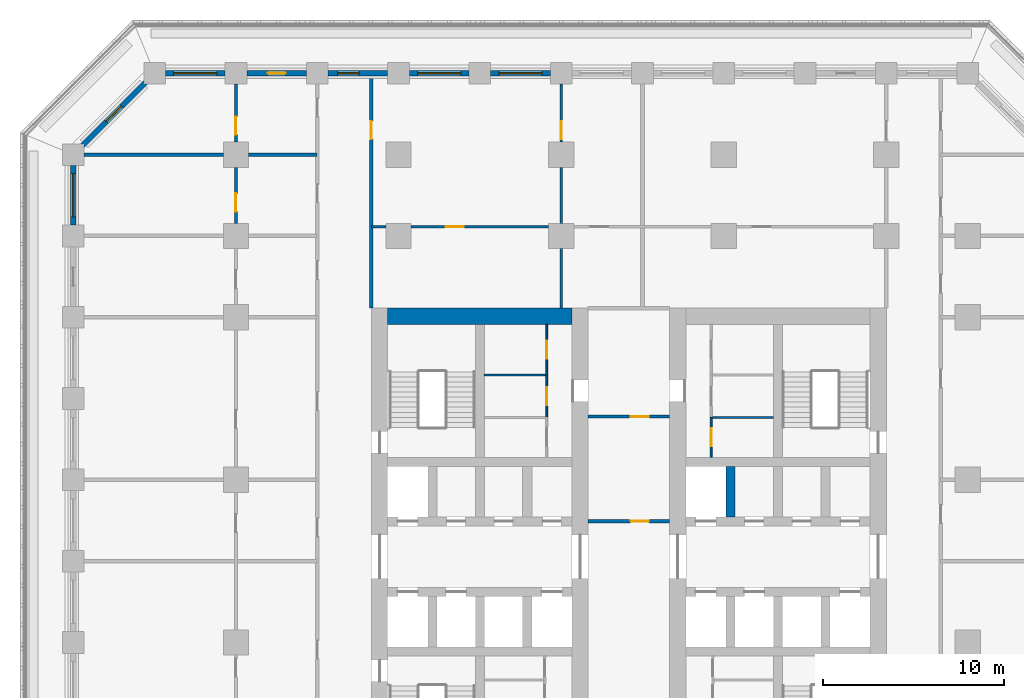
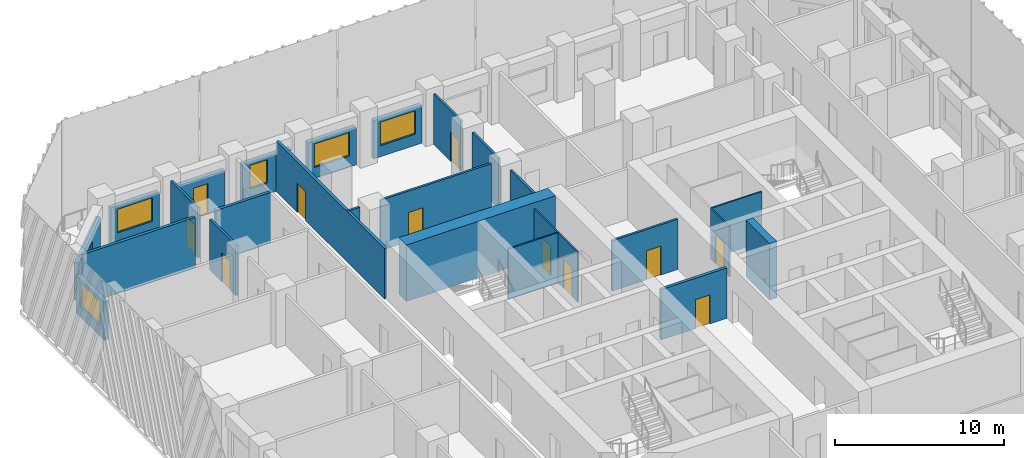
# One storey, part 7 of 19: 26 walls, 12 doors, 5 windows, 17 openings.
"""IFC4 building model written with IfcOpenShell, lengths in metres."""

from ifc_helpers import new_model, si_unit, direction, frame, frame_2d, origin, place, context, subcontext, project, spatial, rectangle, extrude, material, layer, layer_set, type_object, element, fill, save


model = new_model("IFC4")

# Units and contexts
model_context = context("Model", 3, precision=1e-05, world=origin(), true_north=direction((0.0, 1.0)))
body_context = subcontext(model_context, "Body", "Model", "MODEL_VIEW")
ifc_project = project(units=[si_unit("LENGTHUNIT", "METRE"), si_unit("AREAUNIT", "SQUARE_METRE"), si_unit("VOLUMEUNIT", "CUBIC_METRE"), si_unit("PLANEANGLEUNIT", "RADIAN"), si_unit("MASSUNIT", "GRAM", prefix="KILO")], contexts=[model_context])

# Site, building, storey
site_placement = place(None, origin())
site = spatial("IfcSite", under=ifc_project, at=site_placement, CompositionType="ELEMENT")
building_placement = place(site_placement, origin())
building = spatial("IfcBuilding", under=site, at=building_placement, Name="Corbel Stack Research Tower", CompositionType="ELEMENT")
storey_placement = place(building_placement, frame((0.0, 0.0, 124.89990234375)))
storey = spatial("IfcBuildingStorey", under=building, at=storey_placement, Name="L28", CompositionType="ELEMENT", Elevation=124.89990234375)

# Walls
ifc_material_1 = material(Name="Concrete C70/85", Category="concrete")
ifc_layer_1 = layer(ifc_material_1, 0.5)
ifc_layer_set_1 = layer_set([ifc_layer_1], Name="Concrete C70/85")
wall_type_1 = type_object("IfcWallType", Name="CW-500-70", PredefinedType="SHEAR", material=ifc_layer_set_1)
wall_1_placement = place(storey_placement, frame((9.375, 6.949951171875, 0.0), z_axis=(0.0, 0.0, 1.0), x_axis=(0.0, 1.0, 0.0)))
element("IfcWall", 1, at=wall_1_placement, inside=storey, type_object=wall_type_1, Name="East core wall, north shaft 1 L28", PredefinedType="SHEAR", context=body_context, shape_type="SweptSolid", body=[
    extrude(rectangle(XDim=2.800048828125, YDim=0.5, at=frame_2d((1.39990234375, 0.0))), origin(), (0.0, 0.0, 1.0), 4.10009765625),
])
ifc_material_2 = material(Name="Concrete C70/85", Category="concrete")
ifc_layer_2 = layer(ifc_material_2, 0.89990234375)
ifc_layer_set_2 = layer_set([ifc_layer_2], Name="Concrete C70/85")
wall_type_2 = type_object("IfcWallType", Name="CW-900-70", PredefinedType="SHEAR", material=ifc_layer_set_2)
wall_2_placement = place(storey_placement, frame((-9.60009765625, 18.050048828125, 0.0), z_axis=(0.0, 0.0, 1.0), x_axis=(1.0, 0.0, 0.0)))
element("IfcWall", 2, at=wall_2_placement, inside=storey, type_object=wall_type_2, Name="West core wall, north end L28", PredefinedType="SHEAR", context=body_context, shape_type="SweptSolid", body=[
    extrude(rectangle(XDim=10.2001953125, YDim=0.89990234375, at=frame_2d((5.10009765625, 0.0))), origin(), (0.0, 0.0, 1.0), 4.10009765625),
])

# Wall, opening, door
ifc_material_3 = material(Name="Gypsum board")
ifc_layer_3 = layer(ifc_material_3, 0.10009765625)
ifc_layer_set_3 = layer_set([ifc_layer_3], Name="Gypsum board")
wall_type_3 = type_object("IfcWallType", Name="Core partition 100", PredefinedType="PARTITIONING", material=ifc_layer_set_3)
wall_3_placement = place(storey_placement, frame((-0.800048828125, 12.455078125, 0.0), z_axis=(0.0, 0.0, 1.0), x_axis=(0.0, 1.0, 0.0)))
wall_3 = element("IfcWall", 3, at=wall_3_placement, inside=storey, type_object=wall_type_3, Name="Core partition W", PredefinedType="PARTITIONING", context=body_context, shape_type="SweptSolid", body=[
    extrude(rectangle(XDim=2.351806640625, YDim=0.10009765625, at=frame_2d((1.17578125, 0.0))), origin(), (0.0, 0.0, 1.0), 3.650146484375),
])
opening_1_placement = place(wall_3_placement, frame((0.676025390625, 0.0, 0.0)))
opening_1 = element("IfcOpeningElement", 4, at=opening_1_placement, cuts=wall_3, Name="Opening CR-W42-R3-1000", PredefinedType="OPENING", context=body_context, shape_type="SweptSolid", body=[
    extrude(rectangle(XDim=1.0, YDim=2.10009765625, at=frame_2d((0.5, 1.050048828125))), frame((0.0, 0.06005859375, 0.0), z_axis=(0.0, -1.0, 0.0), x_axis=(1.0, 0.0, 0.0)), (0.0, 0.0, 1.0), 0.1201171875),
])
ifc_material_4 = material(Name="Painted steel door", Category="steel")
door_type_1 = type_object("IfcDoorType", Name="Service door 1000 x 2100 FD30 left hand", OperationType="SINGLE_SWING_LEFT", PredefinedType="DOOR", material=ifc_material_4)
door_1_placement = place(opening_1_placement, origin())
door_1 = element("IfcDoor", 5, at=door_1_placement, inside=storey, type_object=door_type_1, Name="Pantry door W core", OperationType="SINGLE_SWING_LEFT", OverallHeight=2.10009765625, OverallWidth=1.0, PredefinedType="DOOR", context=body_context, shape_type="SweptSolid", body=[
    extrude(rectangle(XDim=1.0, YDim=2.10009765625, at=frame_2d((0.5, 1.050048828125))), frame((0.0, 0.02490234375, 0.0), z_axis=(0.0, -1.0, 0.0), x_axis=(1.0, 0.0, 0.0)), (0.0, 0.0, 1.0), 0.050048828125),
])
fill(opening_1, door_1)

wall_4_placement = place(storey_placement, frame((-0.800048828125, 14.806884765625, 0.0), z_axis=(0.0, 0.0, 1.0), x_axis=(0.0, 1.0, 0.0)))
wall_4 = element("IfcWall", 6, at=wall_4_placement, inside=storey, type_object=wall_type_3, Name="Core partition W", PredefinedType="PARTITIONING", context=body_context, shape_type="SweptSolid", body=[
    extrude(rectangle(XDim=2.793212890625, YDim=0.10009765625, at=frame_2d((1.396484375, 0.0))), origin(), (0.0, 0.0, 1.0), 3.650146484375),
])
opening_2_placement = place(wall_4_placement, frame((0.896484375, 0.0, 0.0)))
opening_2 = element("IfcOpeningElement", 7, at=opening_2_placement, cuts=wall_4, Name="Opening CR-W42-R4-1000", PredefinedType="OPENING", context=body_context, shape_type="SweptSolid", body=[
    extrude(rectangle(XDim=1.0, YDim=2.10009765625, at=frame_2d((0.5, 1.050048828125))), frame((0.0, 0.06005859375, 0.0), z_axis=(0.0, -1.0, 0.0), x_axis=(1.0, 0.0, 0.0)), (0.0, 0.0, 1.0), 0.1201171875),
])
ifc_material_5 = material(Name="Painted steel door", Category="steel")
door_type_2 = type_object("IfcDoorType", Name="Riser door 1000 x 2100 FD60 right hand", OperationType="SINGLE_SWING_RIGHT", PredefinedType="DOOR", material=ifc_material_5)
door_2_placement = place(opening_2_placement, origin())
door_2 = element("IfcDoor", 8, at=door_2_placement, inside=storey, type_object=door_type_2, Name="Electrical riser door W core", OperationType="SINGLE_SWING_RIGHT", OverallHeight=2.10009765625, OverallWidth=1.0, PredefinedType="DOOR", context=body_context, shape_type="SweptSolid", body=[
    extrude(rectangle(XDim=1.0, YDim=2.10009765625, at=frame_2d((0.5, 1.050048828125))), frame((0.0, 0.02490234375, 0.0), z_axis=(0.0, -1.0, 0.0), x_axis=(1.0, 0.0, 0.0)), (0.0, 0.0, 1.0), 0.050048828125),
])
fill(opening_2, door_2)

# Wall
wall_5_placement = place(storey_placement, frame((-4.25, 14.806884765625, 0.0), z_axis=(0.0, 0.0, 1.0), x_axis=(1.0, 0.0, 0.0)))
element("IfcWall", 9, at=wall_5_placement, inside=storey, type_object=wall_type_3, Name="Core partition W", PredefinedType="PARTITIONING", context=body_context, shape_type="SweptSolid", body=[
    extrude(rectangle(XDim=3.449951171875, YDim=0.10009765625, at=frame_2d((1.72509765625, 0.0))), origin(), (0.0, 0.0, 1.0), 3.650146484375),
])

# Wall, opening, door
wall_6_placement = place(storey_placement, frame((8.300048828125, 10.25, 0.0), z_axis=(0.0, 0.0, 1.0), x_axis=(0.0, 1.0, 0.0)))
wall_6 = element("IfcWall", 10, at=wall_6_placement, inside=storey, type_object=wall_type_3, Name="Core partition E", PredefinedType="PARTITIONING", context=body_context, shape_type="SweptSolid", body=[
    extrude(rectangle(XDim=2.205078125, YDim=0.10009765625, at=frame_2d((1.1025390625, 0.0))), origin(), (0.0, 0.0, 1.0), 3.650146484375),
])
opening_3_placement = place(wall_6_placement, frame((0.6025390625, 0.0, 0.0)))
opening_3 = element("IfcOpeningElement", 11, at=opening_3_placement, cuts=wall_6, Name="Opening CR-E42-R2-1000", PredefinedType="OPENING", context=body_context, shape_type="SweptSolid", body=[
    extrude(rectangle(XDim=1.0, YDim=2.10009765625, at=frame_2d((0.5, 1.050048828125))), frame((0.0, 0.06005859375, 0.0), z_axis=(0.0, -1.0, 0.0), x_axis=(1.0, 0.0, 0.0)), (0.0, 0.0, 1.0), 0.1201171875),
])
ifc_material_6 = material(Name="Painted steel door", Category="steel")
door_type_3 = type_object("IfcDoorType", Name="Riser door 1000 x 2100 FD60 left hand", OperationType="SINGLE_SWING_LEFT", PredefinedType="DOOR", material=ifc_material_6)
door_3_placement = place(opening_3_placement, origin())
door_3 = element("IfcDoor", 12, at=door_3_placement, inside=storey, type_object=door_type_3, Name="Mechanical riser door E core", OperationType="SINGLE_SWING_LEFT", OverallHeight=2.10009765625, OverallWidth=1.0, PredefinedType="DOOR", context=body_context, shape_type="SweptSolid", body=[
    extrude(rectangle(XDim=1.0, YDim=2.10009765625, at=frame_2d((0.5, 1.050048828125))), frame((0.0, 0.02490234375, 0.0), z_axis=(0.0, -1.0, 0.0), x_axis=(1.0, 0.0, 0.0)), (0.0, 0.0, 1.0), 0.050048828125),
])
fill(opening_3, door_3)

# Wall
wall_7_placement = place(storey_placement, frame((8.300048828125, 12.455078125, 0.0), z_axis=(0.0, 0.0, 1.0), x_axis=(1.0, 0.0, 0.0)))
element("IfcWall", 13, at=wall_7_placement, inside=storey, type_object=wall_type_3, Name="Core partition E", PredefinedType="PARTITIONING", context=body_context, shape_type="SweptSolid", body=[
    extrude(rectangle(XDim=3.449951171875, YDim=0.10009765625, at=frame_2d((1.72509765625, 0.0))), origin(), (0.0, 0.0, 1.0), 3.650146484375),
])

# Wall, opening, door
ifc_material_7 = material(Name="Fire-rated gypsum board partition on steel studs", Category="steel")
ifc_layer_4 = layer(ifc_material_7, 0.14990234375)
ifc_layer_set_4 = layer_set([ifc_layer_4], Name="Fire-rated gypsum board partition on steel studs")
wall_type_4 = type_object("IfcWallType", Name="Fire-rated partition 150 EI 60", PredefinedType="PARTITIONING", material=ifc_layer_set_4)
wall_8_placement = place(storey_placement, frame((0.0, 30.89990234375, 0.0), z_axis=(0.0, 0.0, 1.0), x_axis=(0.0, -1.0, 0.0)))
wall_8 = element("IfcWall", 14, at=wall_8_placement, inside=storey, type_object=wall_type_4, Name="Partition L28-014", PredefinedType="PARTITIONING", context=body_context, shape_type="SweptSolid", body=[
    extrude(rectangle(XDim=3.199951171875, YDim=0.14990234375, at=frame_2d((1.60009765625, 0.0))), origin(), (0.0, 0.0, 1.0), 3.650146484375),
])
opening_4_placement = place(wall_8_placement, frame((2.050048828125, 0.0, 0.0)))
opening_4 = element("IfcOpeningElement", 15, at=opening_4_placement, cuts=wall_8, Name="Opening B4V1-023", PredefinedType="OPENING", context=body_context, shape_type="SweptSolid", body=[
    extrude(rectangle(XDim=1.0, YDim=2.10009765625, at=frame_2d((0.5, 1.050048828125))), frame((0.0, 0.0849609375, 0.0), z_axis=(0.0, -1.0, 0.0), x_axis=(1.0, 0.0, 0.0)), (0.0, 0.0, 1.0), 0.169921875),
])
ifc_material_8 = material(Name="Painted steel fire door", Category="steel")
door_type_4 = type_object("IfcDoorType", Name="Fire door FD30S 1000 x 2100", OperationType="NOTDEFINED", PredefinedType="DOOR", material=ifc_material_8)
door_4_placement = place(opening_4_placement, origin())
door_4 = element("IfcDoor", 16, at=door_4_placement, inside=storey, type_object=door_type_4, Name="Door B4V1-023", OperationType="SINGLE_SWING_RIGHT", OverallHeight=2.10009765625, OverallWidth=1.0, PredefinedType="DOOR", context=body_context, shape_type="SweptSolid", body=[
    extrude(rectangle(XDim=1.0, YDim=2.10009765625, at=frame_2d((0.5, 1.050048828125))), frame((0.0, 0.02490234375, 0.0), z_axis=(0.0, -1.0, 0.0), x_axis=(1.0, 0.0, 0.0)), (0.0, 0.0, 1.0), 0.050048828125),
])
fill(opening_4, door_4)

ifc_material_9 = material(Name="Fire-rated gypsum board partition on steel studs", Category="steel")
ifc_layer_5 = layer(ifc_material_9, 0.199951171875)
ifc_layer_set_5 = layer_set([ifc_layer_5], Name="Fire-rated gypsum board partition on steel studs")
wall_type_5 = type_object("IfcWallType", Name="Fire-rated partition 200 EI 60", PredefinedType="PARTITIONING", material=ifc_layer_set_5)
wall_9_placement = place(storey_placement, frame((-10.5, 31.35009765625, 0.0), z_axis=(0.0, 0.0, 1.0), x_axis=(0.0, -1.0, 0.0)))
wall_9 = element("IfcWall", 17, at=wall_9_placement, inside=storey, type_object=wall_type_5, Name="Partition L28-011", PredefinedType="PARTITIONING", context=body_context, shape_type="SweptSolid", body=[
    extrude(rectangle(XDim=12.85009765625, YDim=0.199951171875, at=frame_2d((6.425048828125, 0.0))), origin(), (0.0, 0.0, 1.0), 3.650146484375),
])
opening_5_placement = place(wall_9_placement, frame((2.5, 0.0, 0.0)))
opening_5 = element("IfcOpeningElement", 18, at=opening_5_placement, cuts=wall_9, Name="Opening B4V1-021", PredefinedType="OPENING", context=body_context, shape_type="SweptSolid", body=[
    extrude(rectangle(XDim=1.0, YDim=2.10009765625, at=frame_2d((0.5, 1.050048828125))), frame((0.0, 0.10986328125, 0.0), z_axis=(0.0, -1.0, 0.0), x_axis=(1.0, 0.0, 0.0)), (0.0, 0.0, 1.0), 0.219970703125),
])
door_5_placement = place(opening_5_placement, origin())
door_5 = element("IfcDoor", 19, at=door_5_placement, inside=storey, type_object=door_type_4, Name="Door B4V1-021", OperationType="SINGLE_SWING_LEFT", OverallHeight=2.10009765625, OverallWidth=1.0, PredefinedType="DOOR", context=body_context, shape_type="SweptSolid", body=[
    extrude(rectangle(XDim=1.0, YDim=2.10009765625, at=frame_2d((0.5, 1.050048828125))), frame((0.0, 0.02490234375, 0.0), z_axis=(0.0, -1.0, 0.0), x_axis=(1.0, 0.0, 0.0)), (0.0, 0.0, 1.0), 0.050048828125),
])
fill(opening_5, door_5)

wall_10_placement = place(storey_placement, frame((1.5, 6.699951171875, 0.0), z_axis=(0.0, 0.0, 1.0), x_axis=(1.0, 0.0, 0.0)))
wall_10 = element("IfcWall", 20, at=wall_10_placement, inside=storey, type_object=wall_type_5, Name="Partition L28-035", PredefinedType="PARTITIONING", context=body_context, shape_type="SweptSolid", body=[
    extrude(rectangle(XDim=4.5, YDim=0.199951171875, at=frame_2d((2.25, 0.0))), origin(), (0.0, 0.0, 1.0), 3.650146484375),
])
opening_6_placement = place(wall_10_placement, frame((2.35009765625, 0.0, 0.0)))
opening_6 = element("IfcOpeningElement", 21, at=opening_6_placement, cuts=wall_10, Name="Opening B4V1-024", PredefinedType="OPENING", context=body_context, shape_type="SweptSolid", body=[
    extrude(rectangle(XDim=1.0, YDim=2.10009765625, at=frame_2d((0.5, 1.050048828125))), frame((0.0, 0.10986328125, 0.0), z_axis=(0.0, -1.0, 0.0), x_axis=(1.0, 0.0, 0.0)), (0.0, 0.0, 1.0), 0.219970703125),
])
door_6_placement = place(opening_6_placement, origin())
door_6 = element("IfcDoor", 22, at=door_6_placement, inside=storey, type_object=door_type_4, Name="Door B4V1-024", OperationType="SINGLE_SWING_RIGHT", OverallHeight=2.10009765625, OverallWidth=1.0, PredefinedType="DOOR", context=body_context, shape_type="SweptSolid", body=[
    extrude(rectangle(XDim=1.0, YDim=2.10009765625, at=frame_2d((0.5, 1.050048828125))), frame((0.0, 0.02490234375, 0.0), z_axis=(0.0, -1.0, 0.0), x_axis=(1.0, 0.0, 0.0)), (0.0, 0.0, 1.0), 0.050048828125),
])
fill(opening_6, door_6)

# Walls
wall_11_placement = place(storey_placement, frame((-26.39990234375, 27.0, 0.0), z_axis=(0.0, 0.0, 1.0), x_axis=(1.0, 0.0, 0.0)))
element("IfcWall", 23, at=wall_11_placement, inside=storey, type_object=wall_type_5, Name="Partition L28-054", PredefinedType="PARTITIONING", context=body_context, shape_type="SweptSolid", body=[
    extrude(rectangle(XDim=7.699951171875, YDim=0.199951171875, at=frame_2d((3.85009765625, 0.0))), origin(), (0.0, 0.0, 1.0), 3.650146484375),
])
wall_12_placement = place(storey_placement, frame((-17.300048828125, 27.0, 0.0), z_axis=(0.0, 0.0, 1.0), x_axis=(1.0, 0.0, 0.0)))
element("IfcWall", 24, at=wall_12_placement, inside=storey, type_object=wall_type_5, Name="Partition L28-055", PredefinedType="PARTITIONING", context=body_context, shape_type="SweptSolid", body=[
    extrude(rectangle(XDim=3.800048828125, YDim=0.199951171875, at=frame_2d((1.89990234375, 0.0))), origin(), (0.0, 0.0, 1.0), 3.650146484375),
])

# Wall, opening, door
ifc_material_10 = material(Name="Gypsum board partition on steel studs", Category="steel")
ifc_layer_6 = layer(ifc_material_10, 0.14990234375)
ifc_layer_set_6 = layer_set([ifc_layer_6], Name="Gypsum board partition on steel studs")
wall_type_6 = type_object("IfcWallType", Name="Partition 150", PredefinedType="PARTITIONING", material=ifc_layer_set_6)
wall_13_placement = place(storey_placement, frame((-18.0, 23.199951171875, 0.0), z_axis=(0.0, 0.0, 1.0), x_axis=(0.0, 1.0, 0.0)))
wall_13 = element("IfcWall", 25, at=wall_13_placement, inside=storey, type_object=wall_type_6, Name="Partition L28-007", PredefinedType="PARTITIONING", context=body_context, shape_type="SweptSolid", body=[
    extrude(rectangle(XDim=3.10009765625, YDim=0.14990234375, at=frame_2d((1.550048828125, 0.0))), origin(), (0.0, 0.0, 1.0), 3.650146484375),
])
opening_7_placement = place(wall_13_placement, frame((0.64990234375, 0.0, 0.0)))
opening_7 = element("IfcOpeningElement", 26, at=opening_7_placement, cuts=wall_13, Name="Opening B4V1-007", PredefinedType="OPENING", context=body_context, shape_type="SweptSolid", body=[
    extrude(rectangle(XDim=1.0, YDim=2.10009765625, at=frame_2d((0.5, 1.050048828125))), frame((0.0, 0.0849609375, 0.0), z_axis=(0.0, -1.0, 0.0), x_axis=(1.0, 0.0, 0.0)), (0.0, 0.0, 1.0), 0.169921875),
])
ifc_material_11 = material(Name="Painted timber door", Category="wood")
door_type_5 = type_object("IfcDoorType", Name="Single door 1000 x 2100", OperationType="NOTDEFINED", PredefinedType="DOOR", material=ifc_material_11)
door_7_placement = place(opening_7_placement, origin())
door_7 = element("IfcDoor", 27, at=door_7_placement, inside=storey, type_object=door_type_5, Name="Door B4V1-007", OperationType="SINGLE_SWING_LEFT", OverallHeight=2.10009765625, OverallWidth=1.0, PredefinedType="DOOR", context=body_context, shape_type="SweptSolid", body=[
    extrude(rectangle(XDim=1.0, YDim=2.10009765625, at=frame_2d((0.5, 1.050048828125))), frame((0.0, 0.02490234375, 0.0), z_axis=(0.0, -1.0, 0.0), x_axis=(1.0, 0.0, 0.0)), (0.0, 0.0, 1.0), 0.050048828125),
])
fill(opening_7, door_7)

wall_14_placement = place(storey_placement, frame((-18.0, 27.699951171875, 0.0), z_axis=(0.0, 0.0, 1.0), x_axis=(0.0, 1.0, 0.0)))
wall_14 = element("IfcWall", 28, at=wall_14_placement, inside=storey, type_object=wall_type_6, Name="Partition L28-008", PredefinedType="PARTITIONING", context=body_context, shape_type="SweptSolid", body=[
    extrude(rectangle(XDim=3.199951171875, YDim=0.14990234375, at=frame_2d((1.60009765625, 0.0))), origin(), (0.0, 0.0, 1.0), 3.650146484375),
])
opening_8_placement = place(wall_14_placement, frame((0.39990234375, 0.0, 0.0)))
opening_8 = element("IfcOpeningElement", 29, at=opening_8_placement, cuts=wall_14, Name="Opening B4V1-008", PredefinedType="OPENING", context=body_context, shape_type="SweptSolid", body=[
    extrude(rectangle(XDim=1.0, YDim=2.10009765625, at=frame_2d((0.5, 1.050048828125))), frame((0.0, 0.0849609375, 0.0), z_axis=(0.0, -1.0, 0.0), x_axis=(1.0, 0.0, 0.0)), (0.0, 0.0, 1.0), 0.169921875),
])
door_8_placement = place(opening_8_placement, origin())
door_8 = element("IfcDoor", 30, at=door_8_placement, inside=storey, type_object=door_type_5, Name="Door B4V1-008", OperationType="SINGLE_SWING_LEFT", OverallHeight=2.10009765625, OverallWidth=1.0, PredefinedType="DOOR", context=body_context, shape_type="SweptSolid", body=[
    extrude(rectangle(XDim=1.0, YDim=2.10009765625, at=frame_2d((0.5, 1.050048828125))), frame((0.0, 0.02490234375, 0.0), z_axis=(0.0, -1.0, 0.0), x_axis=(1.0, 0.0, 0.0)), (0.0, 0.0, 1.0), 0.050048828125),
])
fill(opening_8, door_8)

# Walls
wall_15_placement = place(storey_placement, frame((0.0, 18.5, 0.0), z_axis=(0.0, 0.0, 1.0), x_axis=(0.0, 1.0, 0.0)))
element("IfcWall", 31, at=wall_15_placement, inside=storey, type_object=wall_type_6, Name="Partition L28-012", PredefinedType="PARTITIONING", context=body_context, shape_type="SweptSolid", body=[
    extrude(rectangle(XDim=3.300048828125, YDim=0.14990234375, at=frame_2d((1.64990234375, 0.0))), origin(), (0.0, 0.0, 1.0), 3.650146484375),
])
wall_16_placement = place(storey_placement, frame((0.0, 23.199951171875, 0.0), z_axis=(0.0, 0.0, 1.0), x_axis=(0.0, 1.0, 0.0)))
element("IfcWall", 32, at=wall_16_placement, inside=storey, type_object=wall_type_6, Name="Partition L28-013", PredefinedType="PARTITIONING", context=body_context, shape_type="SweptSolid", body=[
    extrude(rectangle(XDim=3.10009765625, YDim=0.14990234375, at=frame_2d((1.550048828125, 0.0))), origin(), (0.0, 0.0, 1.0), 3.650146484375),
])

# Wall, opening, door
wall_17_placement = place(storey_placement, frame((1.5, 12.5, 0.0), z_axis=(0.0, 0.0, 1.0), x_axis=(1.0, 0.0, 0.0)))
wall_17 = element("IfcWall", 33, at=wall_17_placement, inside=storey, type_object=wall_type_6, Name="Partition L28-040", PredefinedType="PARTITIONING", context=body_context, shape_type="SweptSolid", body=[
    extrude(rectangle(XDim=4.5, YDim=0.14990234375, at=frame_2d((2.25, 0.0))), origin(), (0.0, 0.0, 1.0), 3.650146484375),
])
opening_9_placement = place(wall_17_placement, frame((2.35009765625, 0.0, 0.0)))
opening_9 = element("IfcOpeningElement", 34, at=opening_9_placement, cuts=wall_17, Name="Opening B4V1-025", PredefinedType="OPENING", context=body_context, shape_type="SweptSolid", body=[
    extrude(rectangle(XDim=1.0, YDim=2.10009765625, at=frame_2d((0.5, 1.050048828125))), frame((0.0, 0.0849609375, 0.0), z_axis=(0.0, -1.0, 0.0), x_axis=(1.0, 0.0, 0.0)), (0.0, 0.0, 1.0), 0.169921875),
])
door_9_placement = place(opening_9_placement, origin())
door_9 = element("IfcDoor", 35, at=door_9_placement, inside=storey, type_object=door_type_5, Name="Door B4V1-025", OperationType="SINGLE_SWING_RIGHT", OverallHeight=2.10009765625, OverallWidth=1.0, PredefinedType="DOOR", context=body_context, shape_type="SweptSolid", body=[
    extrude(rectangle(XDim=1.0, YDim=2.10009765625, at=frame_2d((0.5, 1.050048828125))), frame((0.0, 0.02490234375, 0.0), z_axis=(0.0, -1.0, 0.0), x_axis=(1.0, 0.0, 0.0)), (0.0, 0.0, 1.0), 0.050048828125),
])
fill(opening_9, door_9)

# Wall
wall_18_placement = place(storey_placement, frame((-10.5, 23.0, 0.0), z_axis=(0.0, 0.0, 1.0), x_axis=(1.0, 0.0, 0.0)))
element("IfcWall", 36, at=wall_18_placement, inside=storey, type_object=wall_type_6, Name="Partition L28-050", PredefinedType="PARTITIONING", context=body_context, shape_type="SweptSolid", body=[
    extrude(rectangle(XDim=0.800048828125, YDim=0.14990234375, at=frame_2d((0.39990234375, 0.0))), origin(), (0.0, 0.0, 1.0), 3.650146484375),
])

# Wall, opening, door
wall_19_placement = place(storey_placement, frame((-0.699951171875, 23.0, 0.0), z_axis=(0.0, 0.0, 1.0), x_axis=(-1.0, 0.0, 0.0)))
wall_19 = element("IfcWall", 37, at=wall_19_placement, inside=storey, type_object=wall_type_6, Name="Partition L28-051", PredefinedType="PARTITIONING", context=body_context, shape_type="SweptSolid", body=[
    extrude(rectangle(XDim=7.60009765625, YDim=0.14990234375, at=frame_2d((3.800048828125, 0.0))), origin(), (0.0, 0.0, 1.0), 3.650146484375),
])
opening_10_placement = place(wall_19_placement, frame((4.699951171875, 0.0, 0.0)))
opening_10 = element("IfcOpeningElement", 38, at=opening_10_placement, cuts=wall_19, Name="Opening B4V1-036", PredefinedType="OPENING", context=body_context, shape_type="SweptSolid", body=[
    extrude(rectangle(XDim=1.0, YDim=2.10009765625, at=frame_2d((0.5, 1.050048828125))), frame((0.0, 0.0849609375, 0.0), z_axis=(0.0, -1.0, 0.0), x_axis=(1.0, 0.0, 0.0)), (0.0, 0.0, 1.0), 0.169921875),
])
door_10_placement = place(opening_10_placement, origin())
door_10 = element("IfcDoor", 39, at=door_10_placement, inside=storey, type_object=door_type_5, Name="Door B4V1-036", OperationType="SINGLE_SWING_RIGHT", OverallHeight=2.10009765625, OverallWidth=1.0, PredefinedType="DOOR", context=body_context, shape_type="SweptSolid", body=[
    extrude(rectangle(XDim=1.0, YDim=2.10009765625, at=frame_2d((0.5, 1.050048828125))), frame((0.0, 0.02490234375, 0.0), z_axis=(0.0, -1.0, 0.0), x_axis=(1.0, 0.0, 0.0)), (0.0, 0.0, 1.0), 0.050048828125),
])
fill(opening_10, door_10)

# Wall, opening, window
ifc_material_12 = material(Name="Concrete C45/55", Category="concrete")
ifc_layer_7 = layer(ifc_material_12, 0.300048828125)
ifc_layer_set_7 = layer_set([ifc_layer_7], Name="Concrete C45/55")
wall_type_7 = type_object("IfcWallType", Name="Terracotta-faced concrete wall 300", PredefinedType="SOLIDWALL", material=ifc_layer_set_7)
wall_20_placement = place(storey_placement, frame((-3.89990234375, 31.5, 0.0), z_axis=(0.0, 0.0, 1.0), x_axis=(1.0, 0.0, 0.0)))
wall_20 = element("IfcWall", 40, at=wall_20_placement, inside=storey, type_object=wall_type_7, Name="Facade wall L28 N06", PredefinedType="SOLIDWALL", context=body_context, shape_type="SweptSolid", body=[
    extrude(rectangle(XDim=3.2998046875, YDim=0.300048828125, at=frame_2d((1.64990234375, 0.0))), origin(), (0.0, 0.0, 1.0), 2.75),
])
opening_11_placement = place(wall_20_placement, frame((0.449951171875, 0.0, 0.800048828125)))
opening_11 = element("IfcOpeningElement", 41, at=opening_11_placement, cuts=wall_20, Name="Opening W1", PredefinedType="OPENING", context=body_context, shape_type="SweptSolid", body=[
    extrude(rectangle(XDim=2.39990234375, YDim=1.699951171875, at=frame_2d((1.199951171875, 0.85009765625))), frame((0.0, 0.159912109375, 0.0), z_axis=(0.0, -1.0, 0.0), x_axis=(1.0, 0.0, 0.0)), (0.0, 0.0, 1.0), 0.320068359375),
])
ifc_material_13 = material(Name="Aluminium frame, clear double glazing", Category="aluminium")
window_type_1 = type_object("IfcWindowType", Name="Window W1 2400 x 1700", PartitioningType="SINGLE_PANEL", PredefinedType="WINDOW", material=ifc_material_13)
window_1_placement = place(opening_11_placement, origin())
window_1 = element("IfcWindow", 42, at=window_1_placement, inside=storey, type_object=window_type_1, Name="Window W1 L28 N06", OverallHeight=1.699951171875, OverallWidth=2.39990234375, PartitioningType="SINGLE_PANEL", PredefinedType="WINDOW", context=body_context, shape_type="SweptSolid", body=[
    extrude(rectangle(XDim=2.39990234375, YDim=1.699951171875, at=frame_2d((1.199951171875, 0.85009765625))), frame((0.0, 0.030029296875, 0.0), z_axis=(0.0, -1.0, 0.0), x_axis=(1.0, 0.0, 0.0)), (0.0, 0.0, 1.0), 0.06005859375),
])
fill(opening_11, window_1)

wall_21_placement = place(storey_placement, frame((-8.39990234375, 31.5, 0.0), z_axis=(0.0, 0.0, 1.0), x_axis=(1.0, 0.0, 0.0)))
wall_21 = element("IfcWall", 43, at=wall_21_placement, inside=storey, type_object=wall_type_7, Name="Facade wall L28 N07", PredefinedType="SOLIDWALL", context=body_context, shape_type="SweptSolid", body=[
    extrude(rectangle(XDim=3.2998046875, YDim=0.300048828125, at=frame_2d((1.64990234375, 0.0))), origin(), (0.0, 0.0, 1.0), 2.75),
])
opening_12_placement = place(wall_21_placement, frame((0.449951171875, 0.0, 0.800048828125)))
opening_12 = element("IfcOpeningElement", 44, at=opening_12_placement, cuts=wall_21, Name="Opening W1", PredefinedType="OPENING", context=body_context, shape_type="SweptSolid", body=[
    extrude(rectangle(XDim=2.39990234375, YDim=1.699951171875, at=frame_2d((1.199951171875, 0.85009765625))), frame((0.0, 0.159912109375, 0.0), z_axis=(0.0, -1.0, 0.0), x_axis=(1.0, 0.0, 0.0)), (0.0, 0.0, 1.0), 0.320068359375),
])
window_2_placement = place(opening_12_placement, origin())
window_2 = element("IfcWindow", 45, at=window_2_placement, inside=storey, type_object=window_type_1, Name="Window W1 L28 N07", OverallHeight=1.699951171875, OverallWidth=2.39990234375, PartitioningType="SINGLE_PANEL", PredefinedType="WINDOW", context=body_context, shape_type="SweptSolid", body=[
    extrude(rectangle(XDim=2.39990234375, YDim=1.699951171875, at=frame_2d((1.199951171875, 0.85009765625))), frame((0.0, 0.030029296875, 0.0), z_axis=(0.0, -1.0, 0.0), x_axis=(1.0, 0.0, 0.0)), (0.0, 0.0, 1.0), 0.06005859375),
])
fill(opening_12, window_2)

wall_22_placement = place(storey_placement, frame((-12.89990234375, 31.5, 0.0), z_axis=(0.0, 0.0, 1.0), x_axis=(1.0, 0.0, 0.0)))
wall_22 = element("IfcWall", 46, at=wall_22_placement, inside=storey, type_object=wall_type_7, Name="Facade wall L28 N08", PredefinedType="SOLIDWALL", context=body_context, shape_type="SweptSolid", body=[
    extrude(rectangle(XDim=3.2998046875, YDim=0.300048828125, at=frame_2d((1.64990234375, 0.0))), origin(), (0.0, 0.0, 1.0), 2.75),
])
opening_13_placement = place(wall_22_placement, frame((0.52490234375, 0.0, 0.800048828125)))
opening_13 = element("IfcOpeningElement", 47, at=opening_13_placement, cuts=wall_22, Name="Opening W2", PredefinedType="OPENING", context=body_context, shape_type="SweptSolid", body=[
    extrude(rectangle(XDim=1.199951171875, YDim=1.699951171875, at=frame_2d((0.60009765625, 0.85009765625))), frame((0.0, 0.159912109375, 0.0), z_axis=(0.0, -1.0, 0.0), x_axis=(1.0, 0.0, 0.0)), (0.0, 0.0, 1.0), 0.320068359375),
])
ifc_material_14 = material(Name="Aluminium frame, clear double glazing", Category="aluminium")
window_type_2 = type_object("IfcWindowType", Name="Window W2 1200 x 1700", PartitioningType="SINGLE_PANEL", PredefinedType="WINDOW", material=ifc_material_14)
window_3_placement = place(opening_13_placement, origin())
window_3 = element("IfcWindow", 48, at=window_3_placement, inside=storey, type_object=window_type_2, Name="Window W2 L28 N08", OverallHeight=1.699951171875, OverallWidth=1.199951171875, PartitioningType="SINGLE_PANEL", PredefinedType="WINDOW", context=body_context, shape_type="SweptSolid", body=[
    extrude(rectangle(XDim=1.199951171875, YDim=1.699951171875, at=frame_2d((0.60009765625, 0.85009765625))), frame((0.0, 0.030029296875, 0.0), z_axis=(0.0, -1.0, 0.0), x_axis=(1.0, 0.0, 0.0)), (0.0, 0.0, 1.0), 0.06005859375),
])
fill(opening_13, window_3)

# Wall, opening, door
wall_23_placement = place(storey_placement, frame((-17.39990234375, 31.5, 0.0), z_axis=(0.0, 0.0, 1.0), x_axis=(1.0, 0.0, 0.0)))
wall_23 = element("IfcWall", 49, at=wall_23_placement, inside=storey, type_object=wall_type_7, Name="Facade wall L28 N09", PredefinedType="SOLIDWALL", context=body_context, shape_type="SweptSolid", body=[
    extrude(rectangle(XDim=3.2998046875, YDim=0.300048828125, at=frame_2d((1.64990234375, 0.0))), origin(), (0.0, 0.0, 1.0), 2.75),
])
opening_14_placement = place(wall_23_placement, frame((1.14990234375, 0.0, 0.0)))
opening_14 = element("IfcOpeningElement", 50, at=opening_14_placement, cuts=wall_23, Name="Opening L28-B08", PredefinedType="OPENING", context=body_context, shape_type="SweptSolid", body=[
    extrude(rectangle(XDim=1.0, YDim=2.199951171875, at=frame_2d((0.5, 1.10009765625))), frame((0.0, 0.159912109375, 0.0), z_axis=(0.0, -1.0, 0.0), x_axis=(1.0, 0.0, 0.0)), (0.0, 0.0, 1.0), 0.320068359375),
])
ifc_material_15 = material(Name="Aluminium frame, clear double glazing", Category="aluminium")
door_type_6 = type_object("IfcDoorType", Name="Balcony door BD1 1000 x 2200", OperationType="NOTDEFINED", PredefinedType="DOOR", material=ifc_material_15)
door_11_placement = place(opening_14_placement, origin())
door_11 = element("IfcDoor", 51, at=door_11_placement, inside=storey, type_object=door_type_6, Name="Balcony door L28-B08", OperationType="SINGLE_SWING_LEFT", OverallHeight=2.199951171875, OverallWidth=1.0, PredefinedType="DOOR", context=body_context, shape_type="SweptSolid", body=[
    extrude(rectangle(XDim=1.0, YDim=2.199951171875, at=frame_2d((0.5, 1.10009765625))), frame((0.0, 0.02490234375, 0.0), z_axis=(0.0, -1.0, 0.0), x_axis=(1.0, 0.0, 0.0)), (0.0, 0.0, 1.0), 0.050048828125),
])
fill(opening_14, door_11)

# Wall, opening, window
wall_24_placement = place(storey_placement, frame((-21.89990234375, 31.5, 0.0), z_axis=(0.0, 0.0, 1.0), x_axis=(1.0, 0.0, 0.0)))
wall_24 = element("IfcWall", 52, at=wall_24_placement, inside=storey, type_object=wall_type_7, Name="Facade wall L28 N10", PredefinedType="SOLIDWALL", context=body_context, shape_type="SweptSolid", body=[
    extrude(rectangle(XDim=3.2998046875, YDim=0.300048828125, at=frame_2d((1.64990234375, 0.0))), origin(), (0.0, 0.0, 1.0), 2.75),
])
opening_15_placement = place(wall_24_placement, frame((0.449951171875, 0.0, 0.800048828125)))
opening_15 = element("IfcOpeningElement", 53, at=opening_15_placement, cuts=wall_24, Name="Opening W1", PredefinedType="OPENING", context=body_context, shape_type="SweptSolid", body=[
    extrude(rectangle(XDim=2.39990234375, YDim=1.699951171875, at=frame_2d((1.199951171875, 0.85009765625))), frame((0.0, 0.159912109375, 0.0), z_axis=(0.0, -1.0, 0.0), x_axis=(1.0, 0.0, 0.0)), (0.0, 0.0, 1.0), 0.320068359375),
])
window_4_placement = place(opening_15_placement, origin())
window_4 = element("IfcWindow", 54, at=window_4_placement, inside=storey, type_object=window_type_1, Name="Window W1 L28 N10", OverallHeight=1.699951171875, OverallWidth=2.39990234375, PartitioningType="SINGLE_PANEL", PredefinedType="WINDOW", context=body_context, shape_type="SweptSolid", body=[
    extrude(rectangle(XDim=2.39990234375, YDim=1.699951171875, at=frame_2d((1.199951171875, 0.85009765625))), frame((0.0, 0.030029296875, 0.0), z_axis=(0.0, -1.0, 0.0), x_axis=(1.0, 0.0, 0.0)), (0.0, 0.0, 1.0), 0.06005859375),
])
fill(opening_15, window_4)

# Wall, opening, door
wall_25_placement = place(storey_placement, frame((-26.506103515625, 27.493896484375, 0.0), z_axis=(0.0, 0.0, 1.0), x_axis=(0.707106781187, 0.707106781187, 0.0)))
wall_25 = element("IfcWall", 55, at=wall_25_placement, inside=storey, type_object=wall_type_7, Name="Facade wall L28 NW01", PredefinedType="SOLIDWALL", context=body_context, shape_type="SweptSolid", body=[
    extrude(rectangle(XDim=4.967041015625, YDim=0.300048828125, at=frame_2d((2.4833984375, 0.0))), origin(), (0.0, 0.0, 1.0), 2.75),
])
opening_16_placement = place(wall_25_placement, frame((1.883544921875, 0.0, 0.0)))
opening_16 = element("IfcOpeningElement", 56, at=opening_16_placement, cuts=wall_25, Name="Opening L28-B09", PredefinedType="OPENING", context=body_context, shape_type="SweptSolid", body=[
    extrude(rectangle(XDim=1.199951171875, YDim=2.199951171875, at=frame_2d((0.60009765625, 1.10009765625))), frame((0.0, 0.159912109375, 0.0), z_axis=(0.0, -1.0, 0.0), x_axis=(1.0, 0.0, 0.0)), (0.0, 0.0, 1.0), 0.320068359375),
])
ifc_material_16 = material(Name="Aluminium frame, clear double glazing", Category="aluminium")
door_type_7 = type_object("IfcDoorType", Name="Balcony door BD2 1200 x 2200", OperationType="NOTDEFINED", PredefinedType="DOOR", material=ifc_material_16)
door_12_placement = place(opening_16_placement, origin())
door_12 = element("IfcDoor", 57, at=door_12_placement, inside=storey, type_object=door_type_7, Name="Balcony door L28-B09", OperationType="SINGLE_SWING_LEFT", OverallHeight=2.199951171875, OverallWidth=1.199951171875, PredefinedType="DOOR", context=body_context, shape_type="SweptSolid", body=[
    extrude(rectangle(XDim=1.199951171875, YDim=2.199951171875, at=frame_2d((0.60009765625, 1.10009765625))), frame((0.0, 0.02490234375, 0.0), z_axis=(0.0, -1.0, 0.0), x_axis=(1.0, 0.0, 0.0)), (0.0, 0.0, 1.0), 0.050048828125),
])
fill(opening_16, door_12)

# Wall, opening, window
wall_26_placement = place(storey_placement, frame((-27.0, 23.10009765625, 0.0), z_axis=(0.0, 0.0, 1.0), x_axis=(0.0, 1.0, 0.0)))
wall_26 = element("IfcWall", 58, at=wall_26_placement, inside=storey, type_object=wall_type_7, Name="Facade wall L28 W01", PredefinedType="SOLIDWALL", context=body_context, shape_type="SweptSolid", body=[
    extrude(rectangle(XDim=3.2998046875, YDim=0.300048828125, at=frame_2d((1.64990234375, 0.0))), origin(), (0.0, 0.0, 1.0), 2.75),
])
opening_17_placement = place(wall_26_placement, frame((0.449951171875, 0.0, 0.800048828125)))
opening_17 = element("IfcOpeningElement", 59, at=opening_17_placement, cuts=wall_26, Name="Opening W1", PredefinedType="OPENING", context=body_context, shape_type="SweptSolid", body=[
    extrude(rectangle(XDim=2.39990234375, YDim=1.699951171875, at=frame_2d((1.199951171875, 0.85009765625))), frame((0.0, 0.159912109375, 0.0), z_axis=(0.0, -1.0, 0.0), x_axis=(1.0, 0.0, 0.0)), (0.0, 0.0, 1.0), 0.320068359375),
])
window_5_placement = place(opening_17_placement, origin())
window_5 = element("IfcWindow", 60, at=window_5_placement, inside=storey, type_object=window_type_1, Name="Window W1 L28 W01", OverallHeight=1.699951171875, OverallWidth=2.39990234375, PartitioningType="SINGLE_PANEL", PredefinedType="WINDOW", context=body_context, shape_type="SweptSolid", body=[
    extrude(rectangle(XDim=2.39990234375, YDim=1.699951171875, at=frame_2d((1.199951171875, 0.85009765625))), frame((0.0, 0.030029296875, 0.0), z_axis=(0.0, -1.0, 0.0), x_axis=(1.0, 0.0, 0.0)), (0.0, 0.0, 1.0), 0.06005859375),
])
fill(opening_17, window_5)

save(model, "model.ifc")
